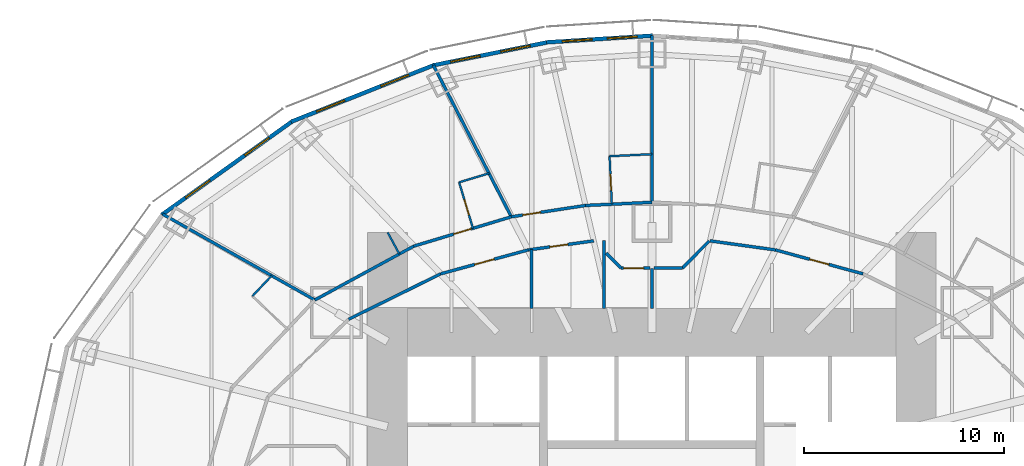
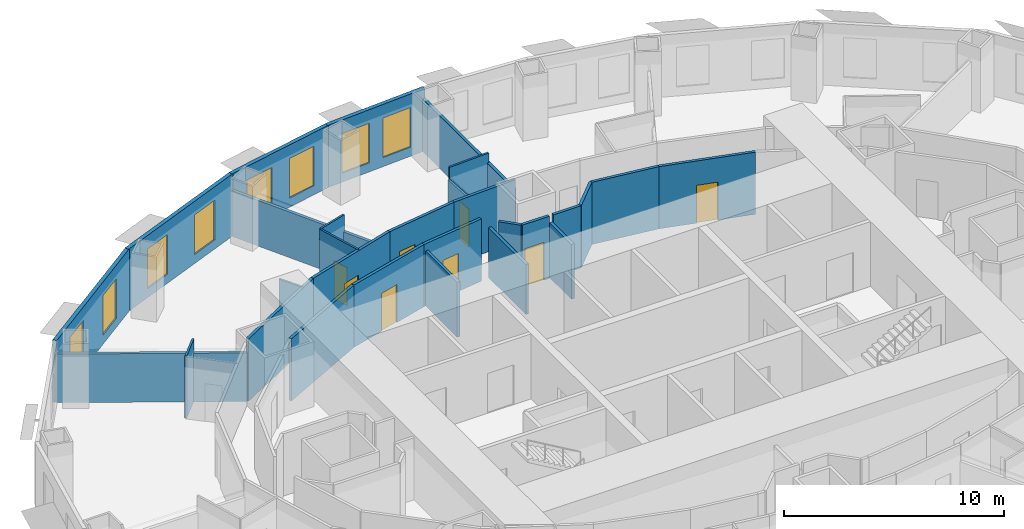
# One storey, part 9 of 15: 29 walls, 8 doors, 8 windows, 16 openings.
"""IFC4 building model written with IfcOpenShell, lengths in metres."""

from ifc_helpers import new_model, si_unit, direction, frame, frame_2d, origin, place, context, subcontext, project, spatial, rectangle, extrude, material, layer, layer_set, type_object, element, fill, save


model = new_model("IFC4")

# Units and contexts
model_context = context("Model", 3, precision=1e-05, world=origin(), true_north=direction((0.0, 1.0)))
body_context = subcontext(model_context, "Body", "Model", "MODEL_VIEW")
ifc_project = project(units=[si_unit("LENGTHUNIT", "METRE"), si_unit("AREAUNIT", "SQUARE_METRE"), si_unit("VOLUMEUNIT", "CUBIC_METRE"), si_unit("PLANEANGLEUNIT", "RADIAN"), si_unit("MASSUNIT", "GRAM", prefix="KILO")], contexts=[model_context])

# Site, building, storey
site_placement = place(None, origin())
site = spatial("IfcSite", under=ifc_project, at=site_placement, CompositionType="ELEMENT")
building_placement = place(site_placement, origin())
building = spatial("IfcBuilding", under=site, at=building_placement, Name="Lantaw Convention Tower", CompositionType="ELEMENT")
storey_placement = place(building_placement, frame((0.0, 0.0, 87.39990234375)))
storey = spatial("IfcBuildingStorey", under=building, at=storey_placement, Name="L20", CompositionType="ELEMENT", Elevation=87.39990234375)

# Walls
ifc_material_1 = material(Name="Gypsum board on steel studs", Category="steel")
ifc_layer_1 = layer(ifc_material_1, 0.14990234375)
ifc_layer_set_1 = layer_set([ifc_layer_1], Name="Back of house wall 150")
wall_type_1 = type_object("IfcWallType", Name="Back of house wall 150", PredefinedType="PARTITIONING", material=ifc_layer_set_1)
wall_1_placement = place(storey_placement, frame((0.0, 9.199951171875, 0.0), z_axis=(0.0, 0.0, 1.0), x_axis=(0.0, 1.0, 0.0)))
element("IfcWall", 1, at=wall_1_placement, inside=storey, type_object=wall_type_1, Name="Back of house wall 150", PredefinedType="PARTITIONING", context=body_context, shape_type="SweptSolid", body=[
    extrude(rectangle(XDim=2.005126953125, YDim=0.14990234375, at=frame_2d((1.00244140625, 0.0))), origin(), (0.0, 0.0, 1.0), 3.043701171875),
])
wall_2_placement = place(storey_placement, frame((-1.5322265625, 11.215087890625, 0.0), z_axis=(0.0, 0.0, 1.0), x_axis=(-0.707106781187, 0.707106781187, 0.0)))
element("IfcWall", 2, at=wall_2_placement, inside=storey, type_object=wall_type_1, Name="Back of house wall 150", PredefinedType="PARTITIONING", context=body_context, shape_type="SweptSolid", body=[
    extrude(rectangle(XDim=1.064453125, YDim=0.14990234375, at=frame_2d((0.5322265625, 0.0))), origin(), (0.0, 0.0, 1.0), 3.4501953125),
])

# Wall, opening, door
ifc_material_2 = material(Name="Moisture resistant gypsum board on steel studs", Category="steel")
ifc_layer_2 = layer(ifc_material_2, 0.10009765625)
ifc_layer_set_2 = layer_set([ifc_layer_2], Name="Bathroom wall 100")
wall_type_2 = type_object("IfcWallType", Name="Bathroom wall 100", PredefinedType="PARTITIONING", material=ifc_layer_set_2)
wall_3_placement = place(storey_placement, frame((-1.997802734375, 14.40478515625, 0.0), z_axis=(0.0, 0.0, 1.0), x_axis=(-0.047608648396, 0.998866065395, 0.0)))
wall_3 = element("IfcWall", 3, at=wall_3_placement, inside=storey, type_object=wall_type_2, Name="Bathroom wall 100", PredefinedType="PARTITIONING", context=body_context, shape_type="SweptSolid", body=[
    extrude(rectangle(XDim=2.39990234375, YDim=0.10009765625, at=frame_2d((1.199951171875, 0.0))), origin(), (0.0, 0.0, 1.0), 2.7490234375),
])
opening_1_placement = place(wall_3_placement, frame((0.699951171875, 0.0, 0.0)))
opening_1 = element("IfcOpeningElement", 4, at=opening_1_placement, cuts=wall_3, Name="Opening L20.32", PredefinedType="OPENING", context=body_context, shape_type="SweptSolid", body=[
    extrude(rectangle(XDim=0.800048828125, YDim=2.10009765625, at=frame_2d((0.39990234375, 1.050048828125))), frame((0.0, 0.06005859375, 0.0), z_axis=(0.0, -1.0, 0.0), x_axis=(1.0, 0.0, 0.0)), (0.0, 0.0, 1.0), 0.1201171875),
])
ifc_material_3 = material(Name="Timber", Category="wood")
door_type_1 = type_object("IfcDoorType", Name="Bathroom door 800", OperationType="SINGLE_SWING_LEFT", PredefinedType="DOOR", material=ifc_material_3)
door_1_placement = place(opening_1_placement, origin())
door_1 = element("IfcDoor", 5, at=door_1_placement, inside=storey, type_object=door_type_1, Name="Bathroom door", OperationType="SINGLE_SWING_LEFT", OverallHeight=2.10009765625, OverallWidth=0.800048828125, PredefinedType="DOOR", context=body_context, shape_type="SweptSolid", body=[
    extrude(rectangle(XDim=0.800048828125, YDim=2.10009765625, at=frame_2d((0.39990234375, 1.050048828125))), frame((0.0, 0.02490234375, 0.0), z_axis=(0.0, -1.0, 0.0), x_axis=(1.0, 0.0, 0.0)), (0.0, 0.0, 1.0), 0.050048828125),
])
fill(opening_1, door_1)

# Wall
wall_4_placement = place(storey_placement, frame((-2.112060546875, 16.802001953125, 0.0), z_axis=(0.0, 0.0, 1.0), x_axis=(0.998862383453, 0.047685835668, 0.0)))
element("IfcWall", 6, at=wall_4_placement, inside=storey, type_object=wall_type_2, Name="Bathroom wall 100", PredefinedType="PARTITIONING", context=body_context, shape_type="SweptSolid", body=[
    extrude(rectangle(XDim=2.114501953125, YDim=0.10009765625, at=frame_2d((1.05712890625, 0.0))), origin(), (0.0, 0.0, 1.0), 3.4501953125),
])

# Wall, opening, door
wall_5_placement = place(storey_placement, frame((-8.9345703125, 13.199951171875, 0.0), z_axis=(0.0, 0.0, 1.0), x_axis=(-0.288197066254, 0.957571120598, 0.0)))
wall_5 = element("IfcWall", 7, at=wall_5_placement, inside=storey, type_object=wall_type_2, Name="Bathroom wall 100", PredefinedType="PARTITIONING", context=body_context, shape_type="SweptSolid", body=[
    extrude(rectangle(XDim=2.39990234375, YDim=0.10009765625, at=frame_2d((1.199951171875, 0.0))), origin(), (0.0, 0.0, 1.0), 3.4501953125),
])
opening_2_placement = place(wall_5_placement, frame((0.699951171875, 0.0, 0.0)))
opening_2 = element("IfcOpeningElement", 8, at=opening_2_placement, cuts=wall_5, Name="Opening L20.34", PredefinedType="OPENING", context=body_context, shape_type="SweptSolid", body=[
    extrude(rectangle(XDim=0.800048828125, YDim=2.10009765625, at=frame_2d((0.39990234375, 1.050048828125))), frame((0.0, 0.06005859375, 0.0), z_axis=(0.0, -1.0, 0.0), x_axis=(1.0, 0.0, 0.0)), (0.0, 0.0, 1.0), 0.1201171875),
])
door_2_placement = place(opening_2_placement, origin())
door_2 = element("IfcDoor", 9, at=door_2_placement, inside=storey, type_object=door_type_1, Name="Bathroom door", OperationType="SINGLE_SWING_LEFT", OverallHeight=2.10009765625, OverallWidth=0.800048828125, PredefinedType="DOOR", context=body_context, shape_type="SweptSolid", body=[
    extrude(rectangle(XDim=0.800048828125, YDim=2.10009765625, at=frame_2d((0.39990234375, 1.050048828125))), frame((0.0, 0.02490234375, 0.0), z_axis=(0.0, -1.0, 0.0), x_axis=(1.0, 0.0, 0.0)), (0.0, 0.0, 1.0), 0.050048828125),
])
fill(opening_2, door_2)

# Walls
wall_6_placement = place(storey_placement, frame((-9.626220703125, 15.498046875, 0.0), z_axis=(0.0, 0.0, 1.0), x_axis=(0.957551231109, 0.288263143328, 0.0)))
element("IfcWall", 10, at=wall_6_placement, inside=storey, type_object=wall_type_2, Name="Bathroom wall 100", PredefinedType="PARTITIONING", context=body_context, shape_type="SweptSolid", body=[
    extrude(rectangle(XDim=1.56591796875, YDim=0.10009765625, at=frame_2d((0.782958984375, 0.0))), origin(), (0.0, 0.0, 1.0), 3.4501953125),
])
wall_7_placement = place(storey_placement, frame((-19.952880859375, 9.815673828125, 0.0), z_axis=(0.0, 0.0, 1.0), x_axis=(0.687017997787, 0.726640399866, 0.0)))
element("IfcWall", 11, at=wall_7_placement, inside=storey, type_object=wall_type_2, Name="Bathroom wall 100", PredefinedType="PARTITIONING", context=body_context, shape_type="SweptSolid", body=[
    extrude(rectangle(XDim=1.417236328125, YDim=0.10009765625, at=frame_2d((0.70849609375, 0.0))), origin(), (0.0, 0.0, 1.0), 3.4501953125),
])
ifc_material_4 = material(Name="Gypsum board on steel studs, fire rated", Category="steel")
ifc_layer_3 = layer(ifc_material_4, 0.14990234375)
ifc_layer_set_3 = layer_set([ifc_layer_3], Name="Corridor wall 150 EI 60")
wall_type_3 = type_object("IfcWallType", Name="Corridor wall 150 EI 60", PredefinedType="PARTITIONING", material=ifc_layer_set_3)
wall_8_placement = place(storey_placement, frame((0.0, 14.5, 0.0), z_axis=(0.0, 0.0, 1.0), x_axis=(-0.998863968075, -0.047652631422, 0.0)))
element("IfcWall", 12, at=wall_8_placement, inside=storey, type_object=wall_type_3, Name="Corridor wall 150", PredefinedType="PARTITIONING", context=body_context, shape_type="SweptSolid", body=[
    extrude(rectangle(XDim=3.314697265625, YDim=0.14990234375, at=frame_2d((1.6572265625, 0.0))), origin(), (0.0, 0.0, 1.0), 3.4501953125),
])

# Wall, opening, door
wall_9_placement = place(storey_placement, frame((-3.31103515625, 14.342041015625, 0.0), z_axis=(0.0, 0.0, 1.0), x_axis=(-0.988564270062, -0.150800145746, 0.0)))
wall_9 = element("IfcWall", 13, at=wall_9_placement, inside=storey, type_object=wall_type_3, Name="Corridor wall 150", PredefinedType="PARTITIONING", context=body_context, shape_type="SweptSolid", body=[
    extrude(rectangle(XDim=3.751220703125, YDim=0.14990234375, at=frame_2d((1.87548828125, 0.0))), origin(), (0.0, 0.0, 1.0), 3.4501953125),
])
opening_3_placement = place(wall_9_placement, frame((2.27587890625, 0.0, 0.0)))
opening_3 = element("IfcOpeningElement", 14, at=opening_3_placement, cuts=wall_9, Name="Opening L20.33", PredefinedType="OPENING", context=body_context, shape_type="SweptSolid", body=[
    extrude(rectangle(XDim=0.89990234375, YDim=2.10009765625, at=frame_2d((0.449951171875, 1.050048828125))), frame((0.0, 0.0849609375, 0.0), z_axis=(0.0, -1.0, 0.0), x_axis=(1.0, 0.0, 0.0)), (0.0, 0.0, 1.0), 0.169921875),
])
ifc_material_5 = material(Name="Steel, fire rated", Category="steel")
door_type_2 = type_object("IfcDoorType", Name="Guest room entrance door FD30S", OperationType="SINGLE_SWING_LEFT", PredefinedType="DOOR", material=ifc_material_5)
door_3_placement = place(opening_3_placement, origin())
door_3 = element("IfcDoor", 15, at=door_3_placement, inside=storey, type_object=door_type_2, Name="Junior suite entrance door", OperationType="SINGLE_SWING_LEFT", OverallHeight=2.10009765625, OverallWidth=0.89990234375, PredefinedType="DOOR", context=body_context, shape_type="SweptSolid", body=[
    extrude(rectangle(XDim=0.89990234375, YDim=2.10009765625, at=frame_2d((0.449951171875, 1.050048828125))), frame((0.0, 0.02490234375, 0.0), z_axis=(0.0, -1.0, 0.0), x_axis=(1.0, 0.0, 0.0)), (0.0, 0.0, 1.0), 0.050048828125),
])
fill(opening_3, door_3)

wall_10_placement = place(storey_placement, frame((-7.019287109375, 13.7763671875, 0.0), z_axis=(0.0, 0.0, 1.0), x_axis=(-0.957564241242, -0.288219922793, 0.0)))
wall_10 = element("IfcWall", 16, at=wall_10_placement, inside=storey, type_object=wall_type_3, Name="Corridor wall 150", PredefinedType="PARTITIONING", context=body_context, shape_type="SweptSolid", body=[
    extrude(rectangle(XDim=5.0849609375, YDim=0.14990234375, at=frame_2d((2.54248046875, 0.0))), origin(), (0.0, 0.0, 1.0), 3.4501953125),
])
opening_4_placement = place(wall_10_placement, frame((2.10009765625, 0.0, 0.0)))
opening_4 = element("IfcOpeningElement", 17, at=opening_4_placement, cuts=wall_10, Name="Opening L20.35", PredefinedType="OPENING", context=body_context, shape_type="SweptSolid", body=[
    extrude(rectangle(XDim=0.89990234375, YDim=2.10009765625, at=frame_2d((0.449951171875, 1.050048828125))), frame((0.0, 0.0849609375, 0.0), z_axis=(0.0, -1.0, 0.0), x_axis=(1.0, 0.0, 0.0)), (0.0, 0.0, 1.0), 0.169921875),
])
door_4_placement = place(opening_4_placement, origin())
door_4 = element("IfcDoor", 18, at=door_4_placement, inside=storey, type_object=door_type_2, Name="Junior suite entrance door", OperationType="SINGLE_SWING_LEFT", OverallHeight=2.10009765625, OverallWidth=0.89990234375, PredefinedType="DOOR", context=body_context, shape_type="SweptSolid", body=[
    extrude(rectangle(XDim=0.89990234375, YDim=2.10009765625, at=frame_2d((0.449951171875, 1.050048828125))), frame((0.0, 0.02490234375, 0.0), z_axis=(0.0, -1.0, 0.0), x_axis=(1.0, 0.0, 0.0)), (0.0, 0.0, 1.0), 0.050048828125),
])
fill(opening_4, door_4)

# Wall
wall_11_placement = place(storey_placement, frame((-11.888427734375, 12.310791015625, 0.0), z_axis=(0.0, 0.0, 1.0), x_axis=(-0.878450059298, -0.477834169267, 0.0)))
element("IfcWall", 19, at=wall_11_placement, inside=storey, type_object=wall_type_3, Name="Corridor wall 150", PredefinedType="PARTITIONING", context=body_context, shape_type="SweptSolid", body=[
    extrude(rectangle(XDim=5.630859375, YDim=0.14990234375, at=frame_2d((2.8154296875, 0.0))), origin(), (0.0, 0.0, 1.0), 3.4501953125),
])

# Wall, opening, door
wall_12_placement = place(storey_placement, frame((10.55126953125, 10.92626953125, 0.0), z_axis=(0.0, 0.0, 1.0), x_axis=(-0.964644466646, 0.263554648923, 0.0)))
wall_12 = element("IfcWall", 20, at=wall_12_placement, inside=storey, type_object=wall_type_3, Name="Corridor wall 150", PredefinedType="PARTITIONING", context=body_context, shape_type="SweptSolid", body=[
    extrude(rectangle(XDim=4.535400390625, YDim=0.14990234375, at=frame_2d((2.267578125, 0.0))), origin(), (0.0, 0.0, 1.0), 3.4501953125),
])
opening_5_placement = place(wall_12_placement, frame((1.767578125, 0.0, 0.0)))
opening_5 = element("IfcOpeningElement", 21, at=opening_5_placement, cuts=wall_12, Name="Opening L20.16", PredefinedType="OPENING", context=body_context, shape_type="SweptSolid", body=[
    extrude(rectangle(XDim=1.0, YDim=2.10009765625, at=frame_2d((0.5, 1.050048828125))), frame((0.0, 0.0849609375, 0.0), z_axis=(0.0, -1.0, 0.0), x_axis=(1.0, 0.0, 0.0)), (0.0, 0.0, 1.0), 0.169921875),
])
door_type_3 = type_object("IfcDoorType", Name="Service door 1000 FD30", OperationType="SINGLE_SWING_LEFT", PredefinedType="DOOR", material=ifc_material_5)
door_5_placement = place(opening_5_placement, origin())
door_5 = element("IfcDoor", 22, at=door_5_placement, inside=storey, type_object=door_type_3, Name="Linen store door", OperationType="SINGLE_SWING_LEFT", OverallHeight=2.10009765625, OverallWidth=1.0, PredefinedType="DOOR", context=body_context, shape_type="SweptSolid", body=[
    extrude(rectangle(XDim=1.0, YDim=2.10009765625, at=frame_2d((0.5, 1.050048828125))), frame((0.0, 0.02490234375, 0.0), z_axis=(0.0, -1.0, 0.0), x_axis=(1.0, 0.0, 0.0)), (0.0, 0.0, 1.0), 0.050048828125),
])
fill(opening_5, door_5)

# Wall
wall_13_placement = place(storey_placement, frame((6.17626953125, 12.12158203125, 0.0), z_axis=(0.0, 0.0, 1.0), x_axis=(-0.990563451353, 0.137054911782, 0.0)))
element("IfcWall", 23, at=wall_13_placement, inside=storey, type_object=wall_type_3, Name="Corridor wall 150", PredefinedType="PARTITIONING", context=body_context, shape_type="SweptSolid", body=[
    extrude(rectangle(XDim=3.304443359375, YDim=0.14990234375, at=frame_2d((1.65234375, 0.0))), origin(), (0.0, 0.0, 1.0), 3.4501953125),
])

# Wall, opening, door
wall_14_placement = place(storey_placement, frame((-2.903076171875, 12.574462890625, 0.0), z_axis=(0.0, 0.0, 1.0), x_axis=(-0.990563451353, -0.137054911782, 0.0)))
wall_14 = element("IfcWall", 24, at=wall_14_placement, inside=storey, type_object=wall_type_3, Name="Corridor wall 150", PredefinedType="PARTITIONING", context=body_context, shape_type="SweptSolid", body=[
    extrude(rectangle(XDim=3.304443359375, YDim=0.14990234375, at=frame_2d((1.65234375, 0.0))), origin(), (0.0, 0.0, 1.0), 3.4501953125),
])
opening_6_placement = place(wall_14_placement, frame((1.308349609375, 0.0, 0.0)))
opening_6 = element("IfcOpeningElement", 25, at=opening_6_placement, cuts=wall_14, Name="Opening L20.19", PredefinedType="OPENING", context=body_context, shape_type="SweptSolid", body=[
    extrude(rectangle(XDim=0.89990234375, YDim=2.10009765625, at=frame_2d((0.449951171875, 1.050048828125))), frame((0.0, 0.0849609375, 0.0), z_axis=(0.0, -1.0, 0.0), x_axis=(1.0, 0.0, 0.0)), (0.0, 0.0, 1.0), 0.169921875),
])
door_type_4 = type_object("IfcDoorType", Name="Service door 900 FD30", OperationType="SINGLE_SWING_LEFT", PredefinedType="DOOR", material=ifc_material_5)
door_6_placement = place(opening_6_placement, origin())
door_6 = element("IfcDoor", 26, at=door_6_placement, inside=storey, type_object=door_type_4, Name="Housekeeping pantry door", OperationType="SINGLE_SWING_LEFT", OverallHeight=2.10009765625, OverallWidth=0.89990234375, PredefinedType="DOOR", context=body_context, shape_type="SweptSolid", body=[
    extrude(rectangle(XDim=0.89990234375, YDim=2.10009765625, at=frame_2d((0.449951171875, 1.050048828125))), frame((0.0, 0.02490234375, 0.0), z_axis=(0.0, -1.0, 0.0), x_axis=(1.0, 0.0, 0.0)), (0.0, 0.0, 1.0), 0.050048828125),
])
fill(opening_6, door_6)

wall_15_placement = place(storey_placement, frame((-6.17626953125, 12.12158203125, 0.0), z_axis=(0.0, 0.0, 1.0), x_axis=(-0.964644466646, -0.263554648923, 0.0)))
wall_15 = element("IfcWall", 27, at=wall_15_placement, inside=storey, type_object=wall_type_3, Name="Corridor wall 150", PredefinedType="PARTITIONING", context=body_context, shape_type="SweptSolid", body=[
    extrude(rectangle(XDim=4.535400390625, YDim=0.14990234375, at=frame_2d((2.267578125, 0.0))), origin(), (0.0, 0.0, 1.0), 3.4501953125),
])
opening_7_placement = place(wall_15_placement, frame((1.767578125, 0.0, 0.0)))
opening_7 = element("IfcOpeningElement", 28, at=opening_7_placement, cuts=wall_15, Name="Opening L20.20", PredefinedType="OPENING", context=body_context, shape_type="SweptSolid", body=[
    extrude(rectangle(XDim=1.0, YDim=2.10009765625, at=frame_2d((0.5, 1.050048828125))), frame((0.0, 0.0849609375, 0.0), z_axis=(0.0, -1.0, 0.0), x_axis=(1.0, 0.0, 0.0)), (0.0, 0.0, 1.0), 0.169921875),
])
door_7_placement = place(opening_7_placement, origin())
door_7 = element("IfcDoor", 29, at=door_7_placement, inside=storey, type_object=door_type_3, Name="Housekeeping room door", OperationType="SINGLE_SWING_LEFT", OverallHeight=2.10009765625, OverallWidth=1.0, PredefinedType="DOOR", context=body_context, shape_type="SweptSolid", body=[
    extrude(rectangle(XDim=1.0, YDim=2.10009765625, at=frame_2d((0.5, 1.050048828125))), frame((0.0, 0.02490234375, 0.0), z_axis=(0.0, -1.0, 0.0), x_axis=(1.0, 0.0, 0.0)), (0.0, 0.0, 1.0), 0.050048828125),
])
fill(opening_7, door_7)

# Walls
wall_16_placement = place(storey_placement, frame((-10.55126953125, 10.92626953125, 0.0), z_axis=(0.0, 0.0, 1.0), x_axis=(-0.89656943448, -0.442903205177, 0.0)))
element("IfcWall", 30, at=wall_16_placement, inside=storey, type_object=wall_type_3, Name="Corridor wall 150", PredefinedType="PARTITIONING", context=body_context, shape_type="SweptSolid", body=[
    extrude(rectangle(XDim=5.12646484375, YDim=0.14990234375, at=frame_2d((2.563232421875, 0.0))), origin(), (0.0, 0.0, 1.0), 3.4501953125),
])
wall_17_placement = place(storey_placement, frame((2.87255859375, 12.572265625, 0.0), z_axis=(0.0, 0.0, 1.0), x_axis=(-0.702677261973, -0.711508724828, 0.0)))
element("IfcWall", 31, at=wall_17_placement, inside=storey, type_object=wall_type_3, Name="Corridor wall 150", PredefinedType="PARTITIONING", context=body_context, shape_type="SweptSolid", body=[
    extrude(rectangle(XDim=1.907470703125, YDim=0.14990234375, at=frame_2d((0.95361328125, 0.0))), origin(), (0.0, 0.0, 1.0), 3.4501953125),
])
wall_18_placement = place(storey_placement, frame((1.5322265625, 11.215087890625, 0.0), z_axis=(0.0, 0.0, 1.0), x_axis=(-1.0, 0.0, 0.0)))
element("IfcWall", 32, at=wall_18_placement, inside=storey, type_object=wall_type_3, Name="Corridor wall 150", PredefinedType="PARTITIONING", context=body_context, shape_type="SweptSolid", body=[
    extrude(rectangle(XDim=1.428955078125, YDim=0.14990234375, at=frame_2d((0.71435546875, 0.0))), origin(), (0.0, 0.0, 1.0), 3.4501953125),
])

# Wall, opening, door
wall_19_placement = place(storey_placement, frame((-0.103271484375, 11.215087890625, 0.0), z_axis=(0.0, 0.0, 1.0), x_axis=(-1.0, 0.0, 0.0)))
wall_19 = element("IfcWall", 33, at=wall_19_placement, inside=storey, type_object=wall_type_3, Name="Corridor wall 150", PredefinedType="PARTITIONING", context=body_context, shape_type="SweptSolid", body=[
    extrude(rectangle(XDim=1.428955078125, YDim=0.14990234375, at=frame_2d((0.71435546875, 0.0))), origin(), (0.0, 0.0, 1.0), 3.4501953125),
])
opening_8_placement = place(wall_19_placement, frame((0.300048828125, 0.0, 0.0)))
opening_8 = element("IfcOpeningElement", 34, at=opening_8_placement, cuts=wall_19, Name="Opening L20.18", PredefinedType="OPENING", context=body_context, shape_type="SweptSolid", body=[
    extrude(rectangle(XDim=1.0, YDim=2.10009765625, at=frame_2d((0.5, 1.050048828125))), frame((0.0, 0.0849609375, 0.0), z_axis=(0.0, -1.0, 0.0), x_axis=(1.0, 0.0, 0.0)), (0.0, 0.0, 1.0), 0.169921875),
])
door_type_5 = type_object("IfcDoorType", Name="Accessible WC door 1000 FD30", OperationType="SINGLE_SWING_LEFT", PredefinedType="DOOR", material=ifc_material_5)
door_8_placement = place(opening_8_placement, origin())
door_8 = element("IfcDoor", 35, at=door_8_placement, inside=storey, type_object=door_type_5, Name="Accessible WC door", OperationType="SINGLE_SWING_LEFT", OverallHeight=2.10009765625, OverallWidth=1.0, PredefinedType="DOOR", context=body_context, shape_type="SweptSolid", body=[
    extrude(rectangle(XDim=1.0, YDim=2.10009765625, at=frame_2d((0.5, 1.050048828125))), frame((0.0, 0.02490234375, 0.0), z_axis=(0.0, -1.0, 0.0), x_axis=(1.0, 0.0, 0.0)), (0.0, 0.0, 1.0), 0.050048828125),
])
fill(opening_8, door_8)

# Wall, openings, windows
ifc_material_6 = material(Name="Insulated aluminium panel on steel frame", Category="steel")
ifc_layer_4 = layer(ifc_material_6, 0.199951171875)
ifc_layer_set_4 = layer_set([ifc_layer_4], Name="External wall 200")
wall_type_4 = type_object("IfcWallType", Name="External wall 200", PredefinedType="SOLIDWALL", material=ifc_layer_set_4)
wall_20_placement = place(storey_placement, frame((0.041015625, 22.8271484375, 0.0), z_axis=(0.0, 0.0, 1.0), x_axis=(-0.998018582375, -0.062919863585, 0.0)))
wall_20 = element("IfcWall", 36, at=wall_20_placement, inside=storey, type_object=wall_type_4, Name="Facade panel wall", PredefinedType="SOLIDWALL", context=body_context, shape_type="SweptSolid", body=[
    extrude(rectangle(XDim=5.30419921875, YDim=0.199951171875, at=frame_2d((2.652099609375, 0.0))), origin(), (0.0, 0.0, 1.0), 3.4501953125),
])
opening_9_placement = place(wall_20_placement, frame((0.77587890625, 0.0, 0.5)))
opening_9 = element("IfcOpeningElement", 37, at=opening_9_placement, cuts=wall_20, Name="Opening W2", PredefinedType="OPENING", context=body_context, shape_type="SweptSolid", body=[
    extrude(rectangle(XDim=1.5, YDim=2.199951171875, at=frame_2d((0.75, 1.10009765625))), frame((0.0, 0.10986328125, 0.0), z_axis=(0.0, -1.0, 0.0), x_axis=(1.0, 0.0, 0.0)), (0.0, 0.0, 1.0), 0.219970703125),
])
opening_10_placement = place(wall_20_placement, frame((3.028076171875, 0.0, 0.5)))
opening_10 = element("IfcOpeningElement", 38, at=opening_10_placement, cuts=wall_20, Name="Opening W2", PredefinedType="OPENING", context=body_context, shape_type="SweptSolid", body=[
    extrude(rectangle(XDim=1.5, YDim=2.199951171875, at=frame_2d((0.75, 1.10009765625))), frame((0.0, 0.10986328125, 0.0), z_axis=(0.0, -1.0, 0.0), x_axis=(1.0, 0.0, 0.0)), (0.0, 0.0, 1.0), 0.219970703125),
])
ifc_material_7 = material(Name="Aluminium frame, clear insulating glass", Category="aluminium")
window_type = type_object("IfcWindowType", Name="Suite window 1500x2200", PartitioningType="SINGLE_PANEL", PredefinedType="WINDOW", material=ifc_material_7)
window_1_placement = place(opening_9_placement, origin())
window_1 = element("IfcWindow", 39, at=window_1_placement, inside=storey, type_object=window_type, Name="Guest room window", OverallHeight=2.199951171875, OverallWidth=1.5, PartitioningType="SINGLE_PANEL", PredefinedType="WINDOW", context=body_context, shape_type="SweptSolid", body=[
    extrude(rectangle(XDim=1.5, YDim=2.199951171875, at=frame_2d((0.75, 1.10009765625))), frame((0.0, 0.030029296875, 0.0), z_axis=(0.0, -1.0, 0.0), x_axis=(1.0, 0.0, 0.0)), (0.0, 0.0, 1.0), 0.06005859375),
])
fill(opening_9, window_1)
window_2_placement = place(opening_10_placement, origin())
window_2 = element("IfcWindow", 40, at=window_2_placement, inside=storey, type_object=window_type, Name="Guest room window", OverallHeight=2.199951171875, OverallWidth=1.5, PartitioningType="SINGLE_PANEL", PredefinedType="WINDOW", context=body_context, shape_type="SweptSolid", body=[
    extrude(rectangle(XDim=1.5, YDim=2.199951171875, at=frame_2d((0.75, 1.10009765625))), frame((0.0, 0.030029296875, 0.0), z_axis=(0.0, -1.0, 0.0), x_axis=(1.0, 0.0, 0.0)), (0.0, 0.0, 1.0), 0.06005859375),
])
fill(opening_10, window_2)

wall_21_placement = place(storey_placement, frame((-5.169677734375, 22.504150390625, 0.0), z_axis=(0.0, 0.0, 1.0), x_axis=(-0.980251657452, -0.197754110105, 0.0)))
wall_21 = element("IfcWall", 41, at=wall_21_placement, inside=storey, type_object=wall_type_4, Name="Facade panel wall", PredefinedType="SOLIDWALL", context=body_context, shape_type="SweptSolid", body=[
    extrude(rectangle(XDim=5.90380859375, YDim=0.199951171875, at=frame_2d((2.951904296875, 0.0))), origin(), (0.0, 0.0, 1.0), 3.4501953125),
])
opening_11_placement = place(wall_21_placement, frame((0.92578125, 0.0, 0.5)))
opening_11 = element("IfcOpeningElement", 42, at=opening_11_placement, cuts=wall_21, Name="Opening W2", PredefinedType="OPENING", context=body_context, shape_type="SweptSolid", body=[
    extrude(rectangle(XDim=1.5, YDim=2.199951171875, at=frame_2d((0.75, 1.10009765625))), frame((0.0, 0.10986328125, 0.0), z_axis=(0.0, -1.0, 0.0), x_axis=(1.0, 0.0, 0.0)), (0.0, 0.0, 1.0), 0.219970703125),
])
opening_12_placement = place(wall_21_placement, frame((3.477783203125, 0.0, 0.5)))
opening_12 = element("IfcOpeningElement", 43, at=opening_12_placement, cuts=wall_21, Name="Opening W2", PredefinedType="OPENING", context=body_context, shape_type="SweptSolid", body=[
    extrude(rectangle(XDim=1.5, YDim=2.199951171875, at=frame_2d((0.75, 1.10009765625))), frame((0.0, 0.10986328125, 0.0), z_axis=(0.0, -1.0, 0.0), x_axis=(1.0, 0.0, 0.0)), (0.0, 0.0, 1.0), 0.219970703125),
])
window_3_placement = place(opening_11_placement, origin())
window_3 = element("IfcWindow", 44, at=window_3_placement, inside=storey, type_object=window_type, Name="Guest room window", OverallHeight=2.199951171875, OverallWidth=1.5, PartitioningType="SINGLE_PANEL", PredefinedType="WINDOW", context=body_context, shape_type="SweptSolid", body=[
    extrude(rectangle(XDim=1.5, YDim=2.199951171875, at=frame_2d((0.75, 1.10009765625))), frame((0.0, 0.030029296875, 0.0), z_axis=(0.0, -1.0, 0.0), x_axis=(1.0, 0.0, 0.0)), (0.0, 0.0, 1.0), 0.06005859375),
])
fill(opening_11, window_3)
window_4_placement = place(opening_12_placement, origin())
window_4 = element("IfcWindow", 45, at=window_4_placement, inside=storey, type_object=window_type, Name="Guest room window", OverallHeight=2.199951171875, OverallWidth=1.5, PartitioningType="SINGLE_PANEL", PredefinedType="WINDOW", context=body_context, shape_type="SweptSolid", body=[
    extrude(rectangle(XDim=1.5, YDim=2.199951171875, at=frame_2d((0.75, 1.10009765625))), frame((0.0, 0.030029296875, 0.0), z_axis=(0.0, -1.0, 0.0), x_axis=(1.0, 0.0, 0.0)), (0.0, 0.0, 1.0), 0.06005859375),
])
fill(opening_12, window_4)

wall_22_placement = place(storey_placement, frame((-10.869384765625, 21.362548828125, 0.0), z_axis=(0.0, 0.0, 1.0), x_axis=(-0.929358351251, -0.369178892895, 0.0)))
wall_22 = element("IfcWall", 46, at=wall_22_placement, inside=storey, type_object=wall_type_4, Name="Facade panel wall", PredefinedType="SOLIDWALL", context=body_context, shape_type="SweptSolid", body=[
    extrude(rectangle(XDim=7.6923828125, YDim=0.199951171875, at=frame_2d((3.84619140625, 0.0))), origin(), (0.0, 0.0, 1.0), 3.4501953125),
])
opening_13_placement = place(wall_22_placement, frame((1.373046875, 0.0, 0.5)))
opening_13 = element("IfcOpeningElement", 47, at=opening_13_placement, cuts=wall_22, Name="Opening W2", PredefinedType="OPENING", context=body_context, shape_type="SweptSolid", body=[
    extrude(rectangle(XDim=1.5, YDim=2.199951171875, at=frame_2d((0.75, 1.10009765625))), frame((0.0, 0.10986328125, 0.0), z_axis=(0.0, -1.0, 0.0), x_axis=(1.0, 0.0, 0.0)), (0.0, 0.0, 1.0), 0.219970703125),
])
opening_14_placement = place(wall_22_placement, frame((4.819091796875, 0.0, 0.5)))
opening_14 = element("IfcOpeningElement", 48, at=opening_14_placement, cuts=wall_22, Name="Opening W2", PredefinedType="OPENING", context=body_context, shape_type="SweptSolid", body=[
    extrude(rectangle(XDim=1.5, YDim=2.199951171875, at=frame_2d((0.75, 1.10009765625))), frame((0.0, 0.10986328125, 0.0), z_axis=(0.0, -1.0, 0.0), x_axis=(1.0, 0.0, 0.0)), (0.0, 0.0, 1.0), 0.219970703125),
])
window_5_placement = place(opening_13_placement, origin())
window_5 = element("IfcWindow", 49, at=window_5_placement, inside=storey, type_object=window_type, Name="Guest room window", OverallHeight=2.199951171875, OverallWidth=1.5, PartitioningType="SINGLE_PANEL", PredefinedType="WINDOW", context=body_context, shape_type="SweptSolid", body=[
    extrude(rectangle(XDim=1.5, YDim=2.199951171875, at=frame_2d((0.75, 1.10009765625))), frame((0.0, 0.030029296875, 0.0), z_axis=(0.0, -1.0, 0.0), x_axis=(1.0, 0.0, 0.0)), (0.0, 0.0, 1.0), 0.06005859375),
])
fill(opening_13, window_5)
window_6_placement = place(opening_14_placement, origin())
window_6 = element("IfcWindow", 50, at=window_6_placement, inside=storey, type_object=window_type, Name="Guest room window", OverallHeight=2.199951171875, OverallWidth=1.5, PartitioningType="SINGLE_PANEL", PredefinedType="WINDOW", context=body_context, shape_type="SweptSolid", body=[
    extrude(rectangle(XDim=1.5, YDim=2.199951171875, at=frame_2d((0.75, 1.10009765625))), frame((0.0, 0.030029296875, 0.0), z_axis=(0.0, -1.0, 0.0), x_axis=(1.0, 0.0, 0.0)), (0.0, 0.0, 1.0), 0.06005859375),
])
fill(opening_14, window_6)

wall_23_placement = place(storey_placement, frame((-17.9287109375, 18.57177734375, 0.0), z_axis=(0.0, 0.0, 1.0), x_axis=(-0.812791321576, -0.582554948112, 0.0)))
wall_23 = element("IfcWall", 51, at=wall_23_placement, inside=storey, type_object=wall_type_4, Name="Facade panel wall", PredefinedType="SOLIDWALL", context=body_context, shape_type="SweptSolid", body=[
    extrude(rectangle(XDim=8.063232421875, YDim=0.199951171875, at=frame_2d((4.03173828125, 0.0))), origin(), (0.0, 0.0, 1.0), 3.4501953125),
])
opening_15_placement = place(wall_23_placement, frame((1.4658203125, 0.0, 0.5)))
opening_15 = element("IfcOpeningElement", 52, at=opening_15_placement, cuts=wall_23, Name="Opening W2", PredefinedType="OPENING", context=body_context, shape_type="SweptSolid", body=[
    extrude(rectangle(XDim=1.5, YDim=2.199951171875, at=frame_2d((0.75, 1.10009765625))), frame((0.0, 0.10986328125, 0.0), z_axis=(0.0, -1.0, 0.0), x_axis=(1.0, 0.0, 0.0)), (0.0, 0.0, 1.0), 0.219970703125),
])
opening_16_placement = place(wall_23_placement, frame((5.097412109375, 0.0, 0.5)))
opening_16 = element("IfcOpeningElement", 53, at=opening_16_placement, cuts=wall_23, Name="Opening W2", PredefinedType="OPENING", context=body_context, shape_type="SweptSolid", body=[
    extrude(rectangle(XDim=1.5, YDim=2.199951171875, at=frame_2d((0.75, 1.10009765625))), frame((0.0, 0.10986328125, 0.0), z_axis=(0.0, -1.0, 0.0), x_axis=(1.0, 0.0, 0.0)), (0.0, 0.0, 1.0), 0.219970703125),
])
window_7_placement = place(opening_15_placement, origin())
window_7 = element("IfcWindow", 54, at=window_7_placement, inside=storey, type_object=window_type, Name="Guest room window", OverallHeight=2.199951171875, OverallWidth=1.5, PartitioningType="SINGLE_PANEL", PredefinedType="WINDOW", context=body_context, shape_type="SweptSolid", body=[
    extrude(rectangle(XDim=1.5, YDim=2.199951171875, at=frame_2d((0.75, 1.10009765625))), frame((0.0, 0.030029296875, 0.0), z_axis=(0.0, -1.0, 0.0), x_axis=(1.0, 0.0, 0.0)), (0.0, 0.0, 1.0), 0.06005859375),
])
fill(opening_15, window_7)
window_8_placement = place(opening_16_placement, origin())
window_8 = element("IfcWindow", 55, at=window_8_placement, inside=storey, type_object=window_type, Name="Guest room window", OverallHeight=2.199951171875, OverallWidth=1.5, PartitioningType="SINGLE_PANEL", PredefinedType="WINDOW", context=body_context, shape_type="SweptSolid", body=[
    extrude(rectangle(XDim=1.5, YDim=2.199951171875, at=frame_2d((0.75, 1.10009765625))), frame((0.0, 0.030029296875, 0.0), z_axis=(0.0, -1.0, 0.0), x_axis=(1.0, 0.0, 0.0)), (0.0, 0.0, 1.0), 0.06005859375),
])
fill(opening_16, window_8)

# Walls
ifc_material_8 = material(Name="Gypsum board on steel studs, acoustic", Category="steel")
ifc_layer_5 = layer(ifc_material_8, 0.14990234375)
ifc_layer_set_5 = layer_set([ifc_layer_5], Name="Guest room party wall 150")
wall_type_5 = type_object("IfcWallType", Name="Guest room party wall 150", PredefinedType="PARTITIONING", material=ifc_layer_set_5)
wall_24_placement = place(storey_placement, frame((0.0, 22.82470703125, 0.0), z_axis=(0.0, 0.0, 1.0), x_axis=(0.0, -1.0, 0.0)))
element("IfcWall", 56, at=wall_24_placement, inside=storey, type_object=wall_type_5, Name="Guest room party wall 150", PredefinedType="PARTITIONING", context=body_context, shape_type="SweptSolid", body=[
    extrude(rectangle(XDim=8.32470703125, YDim=0.14990234375, at=frame_2d((4.162353515625, 0.0))), origin(), (0.0, 0.0, 1.0), 2.92431640625),
])
wall_25_placement = place(storey_placement, frame((-10.911865234375, 21.345703125, 0.0), z_axis=(0.0, 0.0, 1.0), x_axis=(0.457327273085, -0.889298468059, 0.0)))
element("IfcWall", 57, at=wall_25_placement, inside=storey, type_object=wall_type_5, Name="Guest room party wall 150", PredefinedType="PARTITIONING", context=body_context, shape_type="SweptSolid", body=[
    extrude(rectangle(XDim=8.511474609375, YDim=0.14990234375, at=frame_2d((4.255859375, 0.0))), origin(), (0.0, 0.0, 1.0), 2.528076171875),
])
wall_26_placement = place(storey_placement, frame((-24.434814453125, 13.90869140625, 0.0), z_axis=(0.0, 0.0, 1.0), x_axis=(0.87090601027, -0.491449612143, 0.0)))
element("IfcWall", 58, at=wall_26_placement, inside=storey, type_object=wall_type_5, Name="Guest room party wall 150", PredefinedType="PARTITIONING", context=body_context, shape_type="SweptSolid", body=[
    extrude(rectangle(XDim=8.726318359375, YDim=0.14990234375, at=frame_2d((4.36328125, 0.0))), origin(), (0.0, 0.0, 1.0), 2.693115234375),
])
ifc_layer_6 = layer(ifc_material_8, 0.10009765625)
ifc_layer_set_6 = layer_set([ifc_layer_6], Name="Office partition 100")
wall_type_6 = type_object("IfcWallType", Name="Office partition 100", PredefinedType="PARTITIONING", material=ifc_layer_set_6)
wall_27_placement = place(storey_placement, frame((-13.199951171875, 13.0, 0.0), z_axis=(0.0, 0.0, 1.0), x_axis=(0.477852414256, -0.878440134665, 0.0)))
element("IfcWall", 59, at=wall_27_placement, inside=storey, type_object=wall_type_6, Name="Office partition 100", PredefinedType="PARTITIONING", context=body_context, shape_type="SweptSolid", body=[
    extrude(rectangle(XDim=1.232421875, YDim=0.10009765625, at=frame_2d((0.6162109375, 0.0))), origin(), (0.0, 0.0, 1.0), 3.4501953125),
])
ifc_material_9 = material(Name="Concrete blockwork", Category="masonry")
ifc_layer_7 = layer(ifc_material_9, 0.14990234375)
ifc_layer_set_7 = layer_set([ifc_layer_7], Name="WC wall 150")
wall_type_7 = type_object("IfcWallType", Name="WC wall 150", PredefinedType="SOLIDWALL", material=ifc_layer_set_7)
wall_28_placement = place(storey_placement, frame((-2.39990234375, 9.199951171875, 0.0), z_axis=(0.0, 0.0, 1.0), x_axis=(0.0, 1.0, 0.0)))
element("IfcWall", 60, at=wall_28_placement, inside=storey, type_object=wall_type_7, Name="WC wall 150", PredefinedType="SOLIDWALL", context=body_context, shape_type="SweptSolid", body=[
    extrude(rectangle(XDim=3.396240234375, YDim=0.14990234375, at=frame_2d((1.6982421875, 0.0))), origin(), (0.0, 0.0, 1.0), 2.766845703125),
])
wall_29_placement = place(storey_placement, frame((-6.0, 9.199951171875, 0.0), z_axis=(0.0, 0.0, 1.0), x_axis=(0.0, 1.0, 0.0)))
element("IfcWall", 61, at=wall_29_placement, inside=storey, type_object=wall_type_7, Name="WC wall 150", PredefinedType="SOLIDWALL", context=body_context, shape_type="SweptSolid", body=[
    extrude(rectangle(XDim=2.946044921875, YDim=0.14990234375, at=frame_2d((1.47314453125, 0.0))), origin(), (0.0, 0.0, 1.0), 3.046142578125),
])

save(model, "model.ifc")
